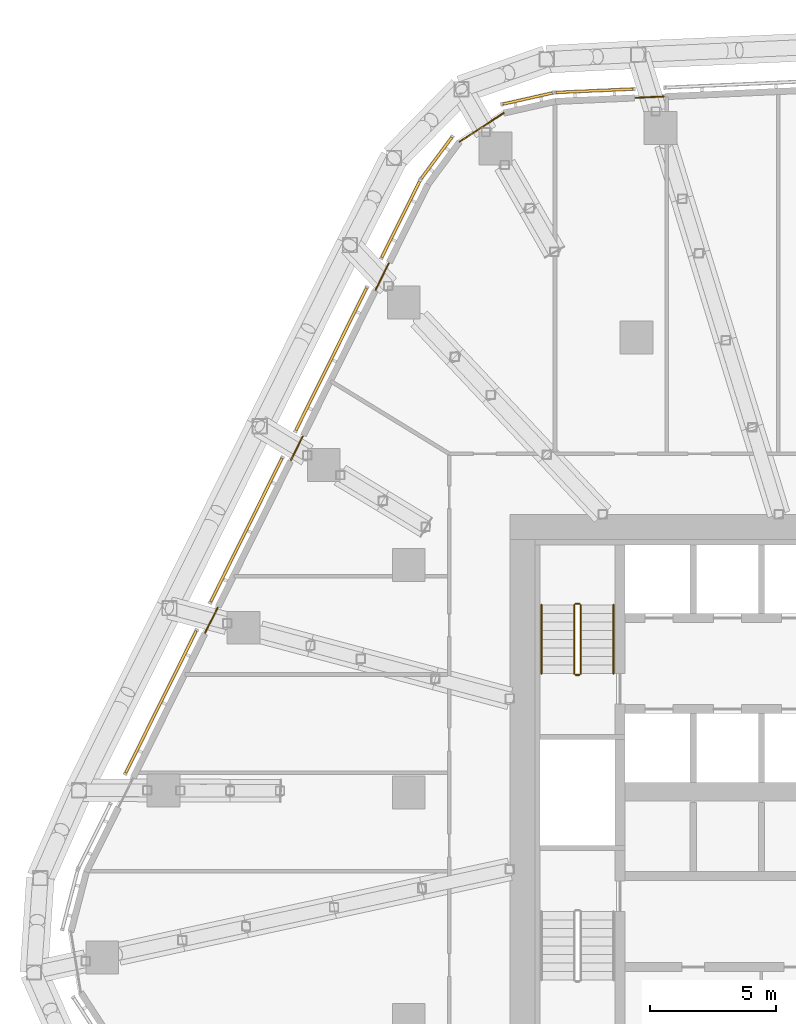
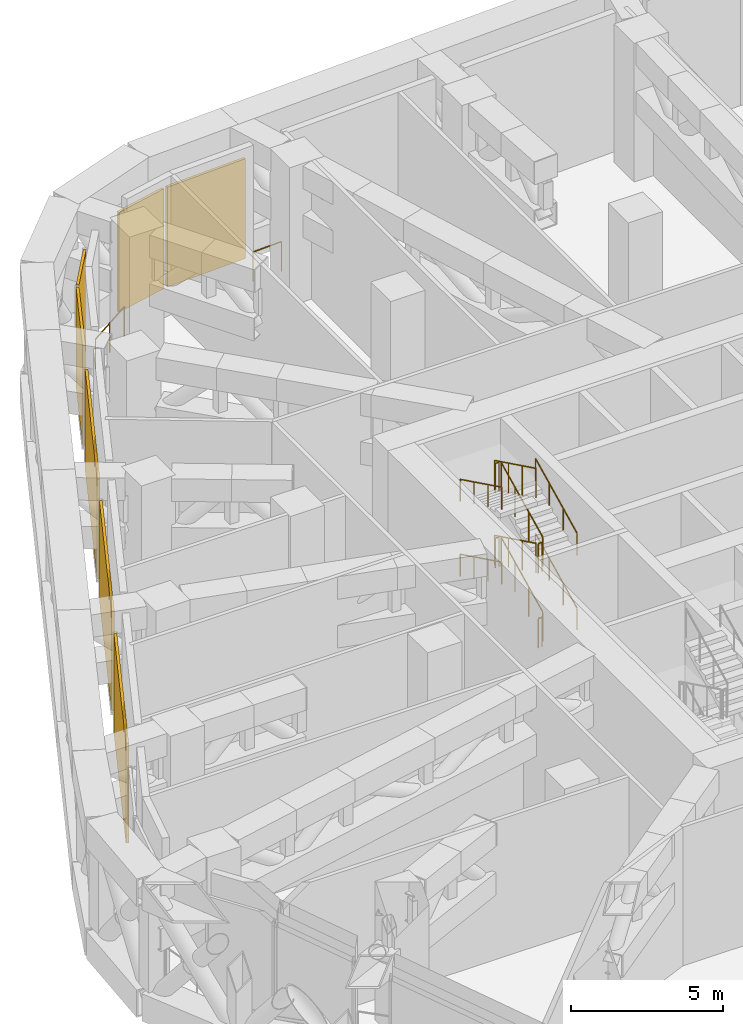
# One storey, part 28 of 30: 17 railings, 7 coverings, 3 elements without a shape of their own.
"""IFC4 building model written with IfcOpenShell, lengths in metres."""

import ifcopenshell
import ifcopenshell.guid

model = None  # the IFC model being written
_history = None  # IfcOwnerHistory: only IFC2X3 demands one
_inside = {}  # id of a spatial element -> (the spatial element, [elements in it])
_under = {}  # id of a project, library or spatial element -> (it, [spatial elements below it])
_declared = {}  # id of a project -> (the project, [libraries it declares])
_typed = {}  # id of a type object -> (the type object, [elements of that type])
_made_of = {}  # id of a material, layer set ... -> (it, [elements and type objects made of it])


def new_model(schema):
    """Start an empty IFC model of exactly this schema.

    Asked for "IFC4X3", IfcOpenShell would pick the latest addendum, in which some entities
    have other attributes; the version numbers below select the first issue.
    IFC2X3 requires an IfcOwnerHistory on every rooted entity: one is made here for all.
    """
    global model, _history
    if schema == "IFC4X3":
        model = ifcopenshell.file(schema_version=(4, 3, 0, 0))
    else:
        model = ifcopenshell.file(schema=schema)
    _inside.clear()
    _under.clear()
    _declared.clear()
    _typed.clear()
    _made_of.clear()
    _history = None
    if model.schema == "IFC2X3":
        org = make("IfcOrganization", Name="unknown")
        user = make(
            "IfcPersonAndOrganization",
            ThePerson=make("IfcPerson", FamilyName="unknown"),
            TheOrganization=org,
        )
        app = make(
            "IfcApplication",
            ApplicationDeveloper=org,
            Version="unknown",
            ApplicationFullName="unknown",
            ApplicationIdentifier="unknown",
        )
        _history = make(
            "IfcOwnerHistory",
            OwningUser=user,
            OwningApplication=app,
            ChangeAction="ADDED",
            CreationDate=0,
        )
    return model


def make(cls, **values):
    """One entity of the class cls with the attributes given. An attribute that is None is left unset."""
    return model.create_entity(
        cls, **{name: value for name, value in values.items() if value is not None}
    )


def rooted(cls, **values):
    """An entity with a GlobalId (a new one), such as an element, a storey or a relation."""
    return make(cls, GlobalId=ifcopenshell.guid.new(), OwnerHistory=_history, **values)


def si_unit(unit_type, name, prefix=None):
    """IfcSIUnit, for example si_unit("LENGTHUNIT", "METRE", prefix="MILLI")."""
    return make("IfcSIUnit", UnitType=unit_type, Prefix=prefix, Name=name)


def assignment(units):
    """IfcUnitAssignment: the units of a project."""
    return None if units is None else make("IfcUnitAssignment", Units=units)


def point(xyz):
    """IfcCartesianPoint."""
    return None if xyz is None else make("IfcCartesianPoint", Coordinates=xyz)


def direction(xyz):
    """IfcDirection."""
    return None if xyz is None else make("IfcDirection", DirectionRatios=xyz)


def frame(location, z_axis=None, x_axis=None):
    """IfcAxis2Placement3D, a coordinate frame: its origin and axes. An axis left out is left unset."""
    return make(
        "IfcAxis2Placement3D",
        Location=point(location),
        Axis=direction(z_axis),
        RefDirection=direction(x_axis),
    )


def frame_2d(location, x_axis=None):
    """IfcAxis2Placement2D, a coordinate frame in the plane: its origin and x axis."""
    return make(
        "IfcAxis2Placement2D", Location=point(location), RefDirection=direction(x_axis)
    )


def origin():
    """The frame at (0, 0, 0) with its axes left unset."""
    return frame((0.0, 0.0, 0.0))


def origin_2d():
    """The frame at (0, 0) in the plane with its x axis left unset."""
    return frame_2d((0.0, 0.0))


def place(relative_to, where):
    """IfcLocalPlacement: puts the frame where relative to a parent placement (None: the world)."""
    return make(
        "IfcLocalPlacement", PlacementRelTo=relative_to, RelativePlacement=where
    )


def context(
    kind, dimensions, precision=None, world=None, true_north=None, identifier=None
):
    """IfcGeometricRepresentationContext, for example the 3D "Model" context."""
    return make(
        "IfcGeometricRepresentationContext",
        ContextIdentifier=identifier,
        ContextType=kind,
        CoordinateSpaceDimension=dimensions,
        Precision=precision,
        WorldCoordinateSystem=world,
        TrueNorth=true_north,
    )


def subcontext(parent, identifier, kind, view, scale=None):
    """IfcGeometricRepresentationSubContext, for example "Body" below "Model"."""
    return make(
        "IfcGeometricRepresentationSubContext",
        ContextIdentifier=identifier,
        ContextType=kind,
        ParentContext=parent,
        TargetScale=scale,
        TargetView=view,
    )


def project(units=None, contexts=None):
    """IfcProject with its units and contexts."""
    return rooted(
        "IfcProject",
        Name="project",
        RepresentationContexts=contexts,
        UnitsInContext=assignment(units),
    )


def spatial(cls, under=None, at=None, **own):
    """A site, building, storey or space (cls), placed at a placement, below another one or the project."""
    s = rooted(cls, ObjectPlacement=at, **own)
    if under is not None:
        _under.setdefault(under.id(), (under, []))[1].append(s)
    return s


def profile(cls, at=None, kind="AREA", **sizes):
    """A parametric profile (cls). Its sizes go by their IFC names, for example OverallWidth=200.0."""
    return make(cls, ProfileType=kind, Position=at, **sizes)


def rectangle(**sizes):
    """IfcRectangleProfileDef."""
    return profile("IfcRectangleProfileDef", **sizes)


def circle(**sizes):
    """IfcCircleProfileDef."""
    return profile("IfcCircleProfileDef", **sizes)


def extrude(swept, where, along, depth):
    """IfcExtrudedAreaSolid: the profile swept, set in the frame where, extruded along a direction by depth."""
    return make(
        "IfcExtrudedAreaSolid",
        SweptArea=swept,
        Position=where,
        ExtrudedDirection=direction(along),
        Depth=depth,
    )


def shape(context_of_items, identifier, shape_type, items):
    """IfcShapeRepresentation: the items that make up one representation, for example the "Body"."""
    return make(
        "IfcShapeRepresentation",
        ContextOfItems=context_of_items,
        RepresentationIdentifier=identifier,
        RepresentationType=shape_type,
        Items=items,
    )


def material(Name=None, Category=None):
    """IfcMaterial."""
    return make("IfcMaterial", Name=Name, Category=Category)


def layer(
    of_material, thickness, ventilated=None, Name=None, Category=None, Priority=None
):
    """IfcMaterialLayer: one layer of a wall or slab, of a material (None: an air gap)."""
    return make(
        "IfcMaterialLayer",
        Material=of_material,
        LayerThickness=thickness,
        IsVentilated=ventilated,
        Name=Name,
        Category=Category,
        Priority=Priority,
    )


def layer_set(layers, Name=None):
    """IfcMaterialLayerSet."""
    return make("IfcMaterialLayerSet", MaterialLayers=layers, LayerSetName=Name)


def made_of(thing, what):
    """Note that an element or type object is made of a material, layer set ...; save() writes the relation."""
    if what is not None:
        _made_of.setdefault(what.id(), (what, []))[1].append(thing)
    return thing


def type_object(cls, material=None, **own):
    """A type object (cls), such as IfcWallType, which elements share."""
    return made_of(rooted(cls, **own), material)


def element(
    cls,
    number,
    at=None,
    inside=None,
    cuts=None,
    type_object=None,
    material=None,
    context=None,
    identifier="Body",
    shape_type=None,
    held_by="IfcProductDefinitionShape",
    body=None,
    shapes=None,
    **own,
):
    """One element of the class cls, such as IfcWall. Its Tag is "e" and its number.

    at: its placement. inside: the storey or other place that contains it. cuts: it is an
    opening in that element (IfcRelVoidsElement). A single representation is given by context,
    identifier, shape_type and body (its items); several are given by shapes. held_by: the class
    of the entity that holds the representations. save() writes the other relations.
    """
    e = rooted(cls, Tag="e%d" % number, ObjectPlacement=at, **own)
    if body is not None:
        shapes = [shape(context, identifier, shape_type, body)]
    if shapes is not None:
        e.Representation = make(held_by, Representations=shapes)
    if inside is not None:
        _inside.setdefault(inside.id(), (inside, []))[1].append(e)
    if cuts is not None:
        rooted(
            "IfcRelVoidsElement", RelatingBuildingElement=cuts, RelatedOpeningElement=e
        )
    if type_object is not None:
        _typed.setdefault(type_object.id(), (type_object, []))[1].append(e)
    return made_of(e, material)


def aggregate(whole, parts):
    """IfcRelAggregates: a whole, such as a stair, and the parts it consists of."""
    return rooted("IfcRelAggregates", RelatingObject=whole, RelatedObjects=parts)


def save(model, path):
    """Write the relations noted so far, then the file.

    IfcRelAggregates (storeys below a building ...), IfcRelContainedInSpatialStructure (elements
    in a storey), IfcRelDefinesByType, IfcRelAssociatesMaterial and IfcRelDeclares: one each for
    every whole, place, type object, material and project.
    """
    for whole, parts in _under.values():
        aggregate(whole, parts)
    for where, things in _inside.values():
        rooted(
            "IfcRelContainedInSpatialStructure",
            RelatedElements=things,
            RelatingStructure=where,
        )
    for kind, things in _typed.values():
        rooted("IfcRelDefinesByType", RelatedObjects=things, RelatingType=kind)
    for what, things in _made_of.values():
        rooted("IfcRelAssociatesMaterial", RelatedObjects=things, RelatingMaterial=what)
    for by, libraries in _declared.values():
        rooted("IfcRelDeclares", RelatingContext=by, RelatedDefinitions=libraries)
    model.write(path)


model = new_model("IFC4")

# Units and contexts
model_context = context("Model", 3, precision=1e-05, world=origin(), true_north=direction((0.0, 1.0)))
body_context = subcontext(model_context, "Body", "Model", "MODEL_VIEW")
ifc_project = project(units=[si_unit("LENGTHUNIT", "METRE"), si_unit("AREAUNIT", "SQUARE_METRE"), si_unit("VOLUMEUNIT", "CUBIC_METRE"), si_unit("PLANEANGLEUNIT", "RADIAN"), si_unit("MASSUNIT", "GRAM", prefix="KILO")], contexts=[model_context])

# Site, building, storey
site_placement = place(None, origin())
site = spatial("IfcSite", under=ifc_project, at=site_placement, CompositionType="ELEMENT")
building_placement = place(site_placement, origin())
building = spatial("IfcBuilding", under=site, at=building_placement, Name="Dongbaek Canopy Tower", CompositionType="ELEMENT")
storey_placement = place(building_placement, frame((0.0, 0.0, 145.60009765625)))
storey = spatial("IfcBuildingStorey", under=building, at=storey_placement, Name="L32", CompositionType="ELEMENT", Elevation=145.60009765625)

# Curtain wall, covering
ifc_material_1 = material(Name="Aluminium 6063-T6 pale anodised", Category="aluminium")
ifc_layer_1 = layer(ifc_material_1, 0.14990234375)
ifc_layer_set_1 = layer_set([ifc_layer_1], Name="CW-7 louvre curtain wall")
curtain_wall_type = type_object("IfcCurtainWallType", Name="CW-7 louvre curtain wall", PredefinedType="NOTDEFINED", material=ifc_layer_set_1)
curtain_wall_1_placement = place(storey_placement, origin())
curtain_wall_1 = element("IfcCurtainWall", 1, at=curtain_wall_1_placement, inside=storey, type_object=curtain_wall_type, Name="CW-7 louvre wall L32 F1", PredefinedType="NOTDEFINED")
ifc_material_2 = material(Name="Aluminium 6063-T6 pale metal louvre blades", Category="aluminium")
ifc_layer_2 = layer(ifc_material_2, 0.10009765625)
ifc_layer_set_2 = layer_set([ifc_layer_2], Name="Louvre LV bank 100 x 4000")
covering_type = type_object("IfcCoveringType", Name="Louvre LV bank 100 x 4000", PredefinedType="CLADDING", material=ifc_layer_set_2)
covering_1_placement = place(storey_placement, frame((-10.6533203125, 27.75634765625, 0.77490234375), z_axis=(0.0, 0.0, 1.0), x_axis=(-0.999015616031, -0.044359879696, 0.0)))
covering_1 = element("IfcCovering", 2, at=covering_1_placement, type_object=covering_type, Name="Louvre L32 F1.4.1", PredefinedType="CLADDING", context=body_context, shape_type="SweptSolid", body=[
    extrude(rectangle(XDim=3.043701171875, YDim=0.10009765625, at=origin_2d()), origin(), (0.0, 0.0, 1.0), 4.0),
])
aggregate(curtain_wall_1, [covering_1])

# Curtain wall, coverings
curtain_wall_2_placement = place(storey_placement, origin())
curtain_wall_2 = element("IfcCurtainWall", 3, at=curtain_wall_2_placement, inside=storey, type_object=curtain_wall_type, Name="CW-7 louvre wall L32 K2", PredefinedType="NOTDEFINED")
covering_2_placement = place(storey_placement, frame((-13.30078125, 27.4482421875, 0.77490234375), z_axis=(0.0, 0.0, 1.0), x_axis=(-0.975474699039, -0.220111588824, 0.0)))
covering_2 = element("IfcCovering", 4, at=covering_2_placement, type_object=covering_type, Name="Louvre L32 K2.1.1", PredefinedType="CLADDING", context=body_context, shape_type="SweptSolid", body=[
    extrude(rectangle(XDim=2.002685546875, YDim=0.10009765625, at=origin_2d()), origin(), (0.0, 0.0, 1.0), 4.0),
])
covering_3_placement = place(storey_placement, frame((-16.8955078125, 25.1083984375, 0.77490234375), z_axis=(0.0, 0.0, 1.0), x_axis=(-0.596111887116, -0.802901375039, 0.0)))
covering_3 = element("IfcCovering", 5, at=covering_3_placement, type_object=covering_type, Name="Louvre L32 K2.2.1", PredefinedType="CLADDING", context=body_context, shape_type="SweptSolid", body=[
    extrude(rectangle(XDim=2.002685546875, YDim=0.10009765625, at=origin_2d()), origin(), (0.0, 0.0, 1.0), 4.0),
])
aggregate(curtain_wall_2, [covering_2, covering_3])

curtain_wall_3_placement = place(storey_placement, origin())
curtain_wall_3 = element("IfcCurtainWall", 6, at=curtain_wall_3_placement, inside=storey, type_object=curtain_wall_type, Name="CW-7 louvre wall L32 F2", PredefinedType="NOTDEFINED")
covering_4_placement = place(storey_placement, frame((-18.319580078125, 22.669677734375, 0.77490234375), z_axis=(0.0, 0.0, 1.0), x_axis=(-0.444929333502, -0.895565680556, 0.0)))
covering_4 = element("IfcCovering", 7, at=covering_4_placement, type_object=covering_type, Name="Louvre L32 F2.1.1", PredefinedType="CLADDING", context=body_context, shape_type="SweptSolid", body=[
    extrude(rectangle(XDim=3.362060546875, YDim=0.10009765625, at=origin_2d()), origin(), (0.0, 0.0, 1.0), 4.0),
])
covering_5_placement = place(storey_placement, frame((-21.067138671875, 17.13916015625, 0.77490234375), z_axis=(0.0, 0.0, 1.0), x_axis=(-0.444929333502, -0.895565680556, 0.0)))
covering_5 = element("IfcCovering", 8, at=covering_5_placement, type_object=covering_type, Name="Louvre L32 F2.2.1", PredefinedType="CLADDING", context=body_context, shape_type="SweptSolid", body=[
    extrude(rectangle(XDim=6.29296875, YDim=0.10009765625, at=origin_2d()), origin(), (0.0, 0.0, 1.0), 4.0),
])
covering_6_placement = place(storey_placement, frame((-24.424072265625, 10.38232421875, 0.77490234375), z_axis=(0.0, 0.0, 1.0), x_axis=(-0.444929333502, -0.895565680556, 0.0)))
covering_6 = element("IfcCovering", 9, at=covering_6_placement, type_object=covering_type, Name="Louvre L32 F2.3.1", PredefinedType="CLADDING", context=body_context, shape_type="SweptSolid", body=[
    extrude(rectangle(XDim=6.34521484375, YDim=0.10009765625, at=origin_2d()), origin(), (0.0, 0.0, 1.0), 4.0),
])
covering_7_placement = place(storey_placement, frame((-27.800048828125, 3.5869140625, 0.77490234375), z_axis=(0.0, 0.0, 1.0), x_axis=(-0.444929333502, -0.895565680556, 0.0)))
covering_7 = element("IfcCovering", 10, at=covering_7_placement, type_object=covering_type, Name="Louvre L32 F2.4.1", PredefinedType="CLADDING", context=body_context, shape_type="SweptSolid", body=[
    extrude(rectangle(XDim=6.277099609375, YDim=0.10009765625, at=origin_2d()), origin(), (0.0, 0.0, 1.0), 4.0),
])
aggregate(curtain_wall_3, [covering_4, covering_5, covering_6, covering_7])

# Railings
ifc_material_3 = material(Name="Stainless steel", Category="steel")
railing_type_1 = type_object("IfcRailingType", Name="Plant opening guard 1200", PredefinedType="GUARDRAIL", material=ifc_material_3)
railing_1_placement = place(storey_placement, frame((-7.9140625, 27.527587890625, 0.0)))
element("IfcRailing", 11, at=railing_1_placement, inside=storey, type_object=railing_type_1, Name="Plant opening guard L32 F1 3", PredefinedType="GUARDRAIL", context=body_context, shape_type="SweptSolid", body=[
    extrude(circle(Radius=0.02392578125, at=origin_2d()), frame((0.0, 0.0, 1.17578125), z_axis=(-0.999021813826, -0.044220080286, 0.0), x_axis=(0.044220080286, -0.999021813826, 0.0)), (0.0, 0.0, 1.0), 1.109619140625),
    extrude(circle(Radius=0.02099609375, at=origin_2d()), origin(), (0.0, 0.0, 1.0), 1.15185546875),
    extrude(circle(Radius=0.02099609375, at=origin_2d()), frame((-1.108642578125, -0.049072265625, 0.0)), (0.0, 0.0, 1.0), 1.15185546875),
])
railing_2_placement = place(storey_placement, frame((-14.244384765625, 26.87646484375, 0.0)))
element("IfcRailing", 12, at=railing_2_placement, inside=storey, type_object=railing_type_1, Name="Plant opening guard L32 K2 1", PredefinedType="GUARDRAIL", context=body_context, shape_type="SweptSolid", body=[
    extrude(circle(Radius=0.02392578125, at=origin_2d()), frame((0.0, 0.0, 1.17578125), z_axis=(-0.838146334854, -0.545445433908, 0.0), x_axis=(0.545445433908, -0.838146334854, 0.0)), (0.0, 0.0, 1.0), 2.08349609375),
    extrude(circle(Radius=0.02099609375, at=origin_2d()), origin(), (0.0, 0.0, 1.0), 1.15185546875),
    extrude(circle(Radius=0.02099609375, at=origin_2d()), frame((-0.873046875, -0.568359375, 0.0)), (0.0, 0.0, 1.0), 1.15185546875),
    extrude(circle(Radius=0.02099609375, at=origin_2d()), frame((-1.746337890625, -1.136474609375, 0.0)), (0.0, 0.0, 1.0), 1.15185546875),
])
railing_3_placement = place(storey_placement, frame((-18.796142578125, 20.92333984375, 0.0)))
element("IfcRailing", 13, at=railing_3_placement, inside=storey, type_object=railing_type_1, Name="Plant opening guard L32 F2 1", PredefinedType="GUARDRAIL", context=body_context, shape_type="SweptSolid", body=[
    extrude(circle(Radius=0.02392578125, at=origin_2d()), frame((0.0, 0.0, 1.17578125), z_axis=(-0.445103855214, -0.895478954568, 0.0), x_axis=(0.895478954568, -0.445103855214, 0.0)), (0.0, 0.0, 1.0), 1.157958984375),
    extrude(circle(Radius=0.02099609375, at=origin_2d()), origin(), (0.0, 0.0, 1.0), 1.15185546875),
    extrude(circle(Radius=0.02099609375, at=origin_2d()), frame((-0.515380859375, -1.036865234375, 0.0)), (0.0, 0.0, 1.0), 1.15185546875),
])
railing_4_placement = place(storey_placement, frame((-22.19580078125, 14.08056640625, 0.0)))
element("IfcRailing", 14, at=railing_4_placement, inside=storey, type_object=railing_type_1, Name="Plant opening guard L32 F2 2", PredefinedType="GUARDRAIL", context=body_context, shape_type="SweptSolid", body=[
    extrude(circle(Radius=0.02392578125, at=origin_2d()), frame((0.0, 0.0, 1.17578125), z_axis=(-0.445043636127, -0.895508884346, 0.0), x_axis=(0.895508884346, -0.445043636127, 0.0)), (0.0, 0.0, 1.0), 1.03564453125),
    extrude(circle(Radius=0.02099609375, at=origin_2d()), origin(), (0.0, 0.0, 1.0), 1.15185546875),
    extrude(circle(Radius=0.02099609375, at=origin_2d()), frame((-0.4609375, -0.927490234375, 0.0)), (0.0, 0.0, 1.0), 1.15185546875),
])
railing_5_placement = place(storey_placement, frame((-25.564453125, 7.30029296875, 0.0)))
element("IfcRailing", 15, at=railing_5_placement, inside=storey, type_object=railing_type_1, Name="Plant opening guard L32 F2 3", PredefinedType="GUARDRAIL", context=body_context, shape_type="SweptSolid", body=[
    extrude(circle(Radius=0.02392578125, at=origin_2d()), frame((0.0, 0.0, 1.17578125), z_axis=(-0.444966016615, -0.895547454944, 0.0), x_axis=(0.895547454944, -0.444966016615, 0.0)), (0.0, 0.0, 1.0), 1.0869140625),
    extrude(circle(Radius=0.02099609375, at=origin_2d()), origin(), (0.0, 0.0, 1.0), 1.15185546875),
    extrude(circle(Radius=0.02099609375, at=origin_2d()), frame((-0.483642578125, -0.973388671875, 0.0)), (0.0, 0.0, 1.0), 1.15185546875),
])
ifc_material_4 = material(Name="Stainless steel tube and balusters", Category="steel")
railing_type_2 = type_object("IfcRailingType", Name="Stair guard 1200", PredefinedType="GUARDRAIL", material=ifc_material_4)
railing_6_placement = place(storey_placement, frame((-11.199951171875, 4.699951171875, 0.16650390625)))
element("IfcRailing", 16, at=railing_6_placement, inside=storey, type_object=railing_type_2, Name="L32 ST-C stair guard 1", PredefinedType="GUARDRAIL", context=body_context, shape_type="SweptSolid", body=[
    extrude(circle(Radius=0.02392578125, at=origin_2d()), frame((0.0, 0.0, 1.17578125), z_axis=(0.0, 0.89789761255, 0.440204358653), x_axis=(-1.0, 0.0, 0.0)), (0.0, 0.0, 1.0), 3.029296875),
    extrude(circle(Radius=0.02099609375, at=origin_2d()), origin(), (0.0, 0.0, 1.0), 1.15185546875),
    extrude(circle(Radius=0.02099609375, at=origin_2d()), frame((0.0, 0.90673828125, 0.444580078125)), (0.0, 0.0, 1.0), 1.15185546875),
    extrude(circle(Radius=0.02099609375, at=origin_2d()), frame((0.0, 1.813232421875, 0.888916015625)), (0.0, 0.0, 1.0), 1.15185546875),
    extrude(circle(Radius=0.02099609375, at=origin_2d()), frame((0.0, 2.719970703125, 1.33349609375)), (0.0, 0.0, 1.0), 1.15185546875),
])
railing_7_placement = place(storey_placement, frame((-11.25, 7.469970703125, 1.5)))
element("IfcRailing", 17, at=railing_7_placement, inside=storey, type_object=railing_type_2, Name="L32 ST-C stair guard 2", PredefinedType="GUARDRAIL", context=body_context, shape_type="SweptSolid", body=[
    extrude(circle(Radius=0.02392578125, at=origin_2d()), frame((0.0, 0.0, 1.17578125), z_axis=(-1.0, 0.0, 0.0), x_axis=(0.0, -1.0, 0.0)), (0.0, 0.0, 1.0), 0.14990234375),
    extrude(circle(Radius=0.02099609375, at=origin_2d()), origin(), (0.0, 0.0, 1.0), 1.15185546875),
    extrude(circle(Radius=0.02099609375, at=origin_2d()), frame((-0.14990234375, 0.0, 0.0)), (0.0, 0.0, 1.0), 1.15185546875),
])
railing_8_placement = place(storey_placement, frame((-11.449951171875, 7.419921875, 1.66650390625)))
element("IfcRailing", 18, at=railing_8_placement, inside=storey, type_object=railing_type_2, Name="L32 ST-C stair guard 3", PredefinedType="GUARDRAIL", context=body_context, shape_type="SweptSolid", body=[
    extrude(circle(Radius=0.02392578125, at=origin_2d()), frame((0.0, 0.0, 1.17578125), z_axis=(0.0, -0.89789761255, 0.440204358653), x_axis=(1.0, 0.0, 0.0)), (0.0, 0.0, 1.0), 3.029296875),
    extrude(circle(Radius=0.02099609375, at=origin_2d()), origin(), (0.0, 0.0, 1.0), 1.15185546875),
    extrude(circle(Radius=0.02099609375, at=origin_2d()), frame((0.0, -0.90673828125, 0.444580078125)), (0.0, 0.0, 1.0), 1.15185546875),
    extrude(circle(Radius=0.02099609375, at=origin_2d()), frame((0.0, -1.813232421875, 0.888916015625)), (0.0, 0.0, 1.0), 1.15185546875),
    extrude(circle(Radius=0.02099609375, at=origin_2d()), frame((0.0, -2.719970703125, 1.33349609375)), (0.0, 0.0, 1.0), 1.15185546875),
])
railing_9_placement = place(storey_placement, frame((-11.25, 4.64990234375, 3.0)))
element("IfcRailing", 19, at=railing_9_placement, inside=storey, type_object=railing_type_2, Name="L32 ST-C stair guard 4", PredefinedType="GUARDRAIL", context=body_context, shape_type="SweptSolid", body=[
    extrude(circle(Radius=0.02392578125, at=origin_2d()), frame((0.0, 0.0, 1.17578125), z_axis=(-1.0, 0.0, 0.0), x_axis=(0.0, -1.0, 0.0)), (0.0, 0.0, 1.0), 0.14990234375),
    extrude(circle(Radius=0.02099609375, at=origin_2d()), origin(), (0.0, 0.0, 1.0), 1.15185546875),
    extrude(circle(Radius=0.02099609375, at=origin_2d()), frame((-0.14990234375, 0.0, 0.0)), (0.0, 0.0, 1.0), 1.15185546875),
])
railing_10_placement = place(storey_placement, frame((-11.199951171875, 4.699951171875, 3.16650390625)))
element("IfcRailing", 20, at=railing_10_placement, inside=storey, type_object=railing_type_2, Name="L32 ST-C stair guard 5", PredefinedType="GUARDRAIL", context=body_context, shape_type="SweptSolid", body=[
    extrude(circle(Radius=0.02392578125, at=origin_2d()), frame((0.0, 0.0, 1.17578125), z_axis=(0.0, 0.89789761255, 0.440204358653), x_axis=(-1.0, 0.0, 0.0)), (0.0, 0.0, 1.0), 3.029296875),
    extrude(circle(Radius=0.02099609375, at=origin_2d()), origin(), (0.0, 0.0, 1.0), 1.15185546875),
    extrude(circle(Radius=0.02099609375, at=origin_2d()), frame((0.0, 0.90673828125, 0.444580078125)), (0.0, 0.0, 1.0), 1.15185546875),
    extrude(circle(Radius=0.02099609375, at=origin_2d()), frame((0.0, 1.813232421875, 0.888916015625)), (0.0, 0.0, 1.0), 1.15185546875),
    extrude(circle(Radius=0.02099609375, at=origin_2d()), frame((0.0, 2.719970703125, 1.33349609375)), (0.0, 0.0, 1.0), 1.15185546875),
])
railing_11_placement = place(storey_placement, frame((-11.25, 7.469970703125, 4.5)))
element("IfcRailing", 21, at=railing_11_placement, inside=storey, type_object=railing_type_2, Name="L32 ST-C stair guard 6", PredefinedType="GUARDRAIL", context=body_context, shape_type="SweptSolid", body=[
    extrude(circle(Radius=0.02392578125, at=origin_2d()), frame((0.0, 0.0, 1.17578125), z_axis=(-1.0, 0.0, 0.0), x_axis=(0.0, -1.0, 0.0)), (0.0, 0.0, 1.0), 0.14990234375),
    extrude(circle(Radius=0.02099609375, at=origin_2d()), origin(), (0.0, 0.0, 1.0), 1.15185546875),
    extrude(circle(Radius=0.02099609375, at=origin_2d()), frame((-0.14990234375, 0.0, 0.0)), (0.0, 0.0, 1.0), 1.15185546875),
])
railing_12_placement = place(storey_placement, frame((-11.449951171875, 7.419921875, 4.66650390625)))
element("IfcRailing", 22, at=railing_12_placement, inside=storey, type_object=railing_type_2, Name="L32 ST-C stair guard 7", PredefinedType="GUARDRAIL", context=body_context, shape_type="SweptSolid", body=[
    extrude(circle(Radius=0.02392578125, at=origin_2d()), frame((0.0, 0.0, 1.17578125), z_axis=(0.0, -0.89789761255, 0.440204358653), x_axis=(1.0, 0.0, 0.0)), (0.0, 0.0, 1.0), 3.029296875),
    extrude(circle(Radius=0.02099609375, at=origin_2d()), origin(), (0.0, 0.0, 1.0), 1.15185546875),
    extrude(circle(Radius=0.02099609375, at=origin_2d()), frame((0.0, -0.90673828125, 0.444580078125)), (0.0, 0.0, 1.0), 1.15185546875),
    extrude(circle(Radius=0.02099609375, at=origin_2d()), frame((0.0, -1.813232421875, 0.888916015625)), (0.0, 0.0, 1.0), 1.15185546875),
    extrude(circle(Radius=0.02099609375, at=origin_2d()), frame((0.0, -2.719970703125, 1.33349609375)), (0.0, 0.0, 1.0), 1.15185546875),
])
railing_13_placement = place(storey_placement, frame((-11.25, 4.64990234375, 0.0)))
element("IfcRailing", 23, at=railing_13_placement, inside=storey, type_object=railing_type_2, Name="L32 ST-C stair guard 8", PredefinedType="GUARDRAIL", context=body_context, shape_type="SweptSolid", body=[
    extrude(circle(Radius=0.02392578125, at=origin_2d()), frame((0.0, 0.0, 1.17578125), z_axis=(-1.0, 0.0, 0.0), x_axis=(0.0, -1.0, 0.0)), (0.0, 0.0, 1.0), 0.14990234375),
    extrude(circle(Radius=0.02099609375, at=origin_2d()), origin(), (0.0, 0.0, 1.0), 1.15185546875),
    extrude(circle(Radius=0.02099609375, at=origin_2d()), frame((-0.14990234375, 0.0, 0.0)), (0.0, 0.0, 1.0), 1.15185546875),
])
ifc_material_5 = material(Name="Stainless steel tube", Category="steel")
railing_type_3 = type_object("IfcRailingType", Name="Stair handrail 900", PredefinedType="HANDRAIL", material=ifc_material_5)
railing_14_placement = place(storey_placement, frame((-9.89990234375, 4.699951171875, 0.16650390625)))
element("IfcRailing", 24, at=railing_14_placement, inside=storey, type_object=railing_type_3, Name="L32 ST-C stair handrail 1", PredefinedType="HANDRAIL", context=body_context, shape_type="SweptSolid", body=[
    extrude(circle(Radius=0.02392578125, at=origin_2d()), frame((0.0, 0.0, 0.8759765625), z_axis=(0.0, 0.89789761255, 0.440204358653), x_axis=(-1.0, 0.0, 0.0)), (0.0, 0.0, 1.0), 3.029296875),
    extrude(circle(Radius=0.02099609375, at=origin_2d()), origin(), (0.0, 0.0, 1.0), 0.851806640625),
    extrude(circle(Radius=0.02099609375, at=origin_2d()), frame((0.0, 0.90673828125, 0.444580078125)), (0.0, 0.0, 1.0), 0.851806640625),
    extrude(circle(Radius=0.02099609375, at=origin_2d()), frame((0.0, 1.813232421875, 0.888916015625)), (0.0, 0.0, 1.0), 0.851806640625),
    extrude(circle(Radius=0.02099609375, at=origin_2d()), frame((0.0, 2.719970703125, 1.33349609375)), (0.0, 0.0, 1.0), 0.851806640625),
])
railing_15_placement = place(storey_placement, frame((-12.75, 7.419921875, 1.66650390625)))
element("IfcRailing", 25, at=railing_15_placement, inside=storey, type_object=railing_type_3, Name="L32 ST-C stair handrail 2", PredefinedType="HANDRAIL", context=body_context, shape_type="SweptSolid", body=[
    extrude(circle(Radius=0.02392578125, at=origin_2d()), frame((0.0, 0.0, 0.8759765625), z_axis=(0.0, -0.89789761255, 0.440204358653), x_axis=(1.0, 0.0, 0.0)), (0.0, 0.0, 1.0), 3.029296875),
    extrude(circle(Radius=0.02099609375, at=origin_2d()), origin(), (0.0, 0.0, 1.0), 0.851806640625),
    extrude(circle(Radius=0.02099609375, at=origin_2d()), frame((0.0, -0.90673828125, 0.444580078125)), (0.0, 0.0, 1.0), 0.851806640625),
    extrude(circle(Radius=0.02099609375, at=origin_2d()), frame((0.0, -1.813232421875, 0.888916015625)), (0.0, 0.0, 1.0), 0.851806640625),
    extrude(circle(Radius=0.02099609375, at=origin_2d()), frame((0.0, -2.719970703125, 1.33349609375)), (0.0, 0.0, 1.0), 0.851806640625),
])
railing_16_placement = place(storey_placement, frame((-9.89990234375, 4.699951171875, 3.16650390625)))
element("IfcRailing", 26, at=railing_16_placement, inside=storey, type_object=railing_type_3, Name="L32 ST-C stair handrail 3", PredefinedType="HANDRAIL", context=body_context, shape_type="SweptSolid", body=[
    extrude(circle(Radius=0.02392578125, at=origin_2d()), frame((0.0, 0.0, 0.8759765625), z_axis=(0.0, 0.89789761255, 0.440204358653), x_axis=(-1.0, 0.0, 0.0)), (0.0, 0.0, 1.0), 3.029296875),
    extrude(circle(Radius=0.02099609375, at=origin_2d()), origin(), (0.0, 0.0, 1.0), 0.851806640625),
    extrude(circle(Radius=0.02099609375, at=origin_2d()), frame((0.0, 0.90673828125, 0.444580078125)), (0.0, 0.0, 1.0), 0.851806640625),
    extrude(circle(Radius=0.02099609375, at=origin_2d()), frame((0.0, 1.813232421875, 0.888916015625)), (0.0, 0.0, 1.0), 0.851806640625),
    extrude(circle(Radius=0.02099609375, at=origin_2d()), frame((0.0, 2.719970703125, 1.33349609375)), (0.0, 0.0, 1.0), 0.851806640625),
])
railing_17_placement = place(storey_placement, frame((-12.75, 7.419921875, 4.66650390625)))
element("IfcRailing", 27, at=railing_17_placement, inside=storey, type_object=railing_type_3, Name="L32 ST-C stair handrail 4", PredefinedType="HANDRAIL", context=body_context, shape_type="SweptSolid", body=[
    extrude(circle(Radius=0.02392578125, at=origin_2d()), frame((0.0, 0.0, 0.8759765625), z_axis=(0.0, -0.89789761255, 0.440204358653), x_axis=(1.0, 0.0, 0.0)), (0.0, 0.0, 1.0), 3.029296875),
    extrude(circle(Radius=0.02099609375, at=origin_2d()), origin(), (0.0, 0.0, 1.0), 0.851806640625),
    extrude(circle(Radius=0.02099609375, at=origin_2d()), frame((0.0, -0.90673828125, 0.444580078125)), (0.0, 0.0, 1.0), 0.851806640625),
    extrude(circle(Radius=0.02099609375, at=origin_2d()), frame((0.0, -1.813232421875, 0.888916015625)), (0.0, 0.0, 1.0), 0.851806640625),
    extrude(circle(Radius=0.02099609375, at=origin_2d()), frame((0.0, -2.719970703125, 1.33349609375)), (0.0, 0.0, 1.0), 0.851806640625),
])

save(model, "model.ifc")
